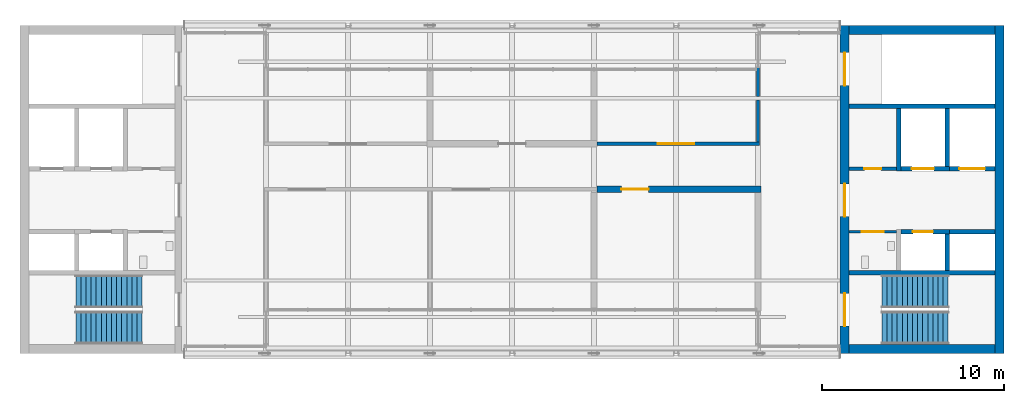
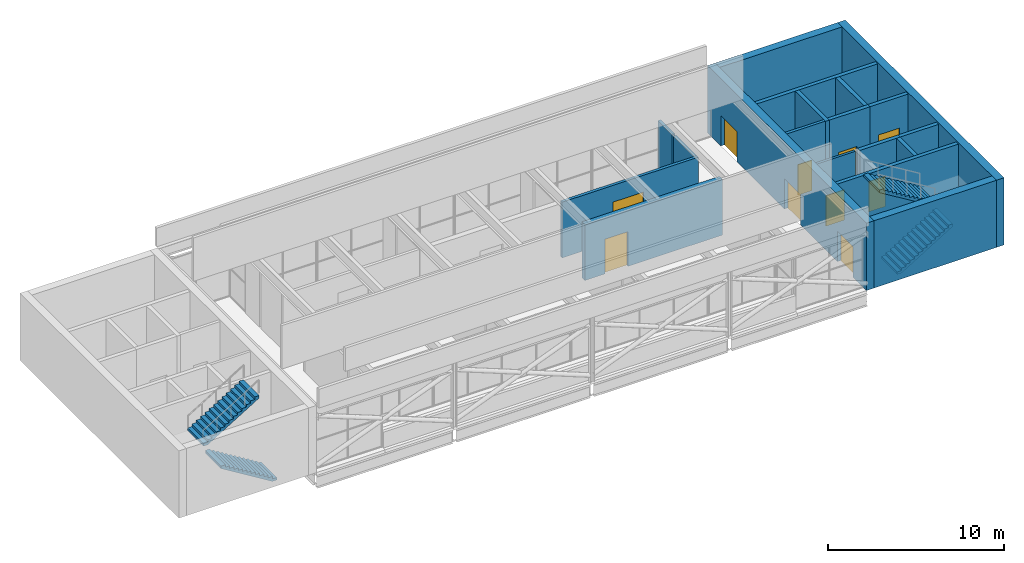
# One storey, part 11 of 13: 19 walls, 10 doors, 4 stair flights, 10 openings, 2 elements without a shape of their own.
"""IFC4 building model written with IfcOpenShell, lengths in metres."""

from ifc_helpers import new_model, si_unit, direction, frame, frame_2d, origin, place, context, subcontext, project, spatial, polyline, rectangle, outline, extrude, material, layer, layer_set, type_object, element, fill, aggregate, save


model = new_model("IFC4")

# Units and contexts
model_context = context("Model", 3, precision=1e-05, world=origin(), true_north=direction((0.0, 1.0)))
body_context = subcontext(model_context, "Body", "Model", "MODEL_VIEW")
ifc_project = project(units=[si_unit("LENGTHUNIT", "METRE"), si_unit("AREAUNIT", "SQUARE_METRE"), si_unit("VOLUMEUNIT", "CUBIC_METRE"), si_unit("PLANEANGLEUNIT", "RADIAN"), si_unit("MASSUNIT", "GRAM", prefix="KILO")], contexts=[model_context])

# Site, building, storey
site_placement = place(None, origin())
site = spatial("IfcSite", under=ifc_project, at=site_placement, CompositionType="ELEMENT")
building_placement = place(site_placement, origin())
building = spatial("IfcBuilding", under=site, at=building_placement, Name="Corbel Yard City Hall", CompositionType="ELEMENT")
storey_placement = place(building_placement, frame((0.0, 0.0, 71.199951171875)))
storey = spatial("IfcBuildingStorey", under=building, at=storey_placement, Name="L17", CompositionType="ELEMENT", Elevation=71.199951171875)

# Walls
ifc_material_1 = material(Name="Concrete N40 (40 MPa)", Category="concrete")
ifc_layer_1 = layer(ifc_material_1, 0.25)
ifc_layer_set_1 = layer_set([ifc_layer_1], Name="Concrete N40 (40 MPa)")
wall_type_1 = type_object("IfcWallType", Name="IW2", PredefinedType="SOLIDWALL", material=ifc_layer_set_1)
for number, where, z_axis, x_axis, name in (
    (1, (45.5, 103.425048828125, 0.0), (0.0, 0.0, 1.0), (1.0, 0.0, 0.0), "Stair enclosure wall"),
    (2, (45.5, 112.574951171875, 0.0), (0.0, 0.0, 1.0), (1.0, 0.0, 0.0), "Stair enclosure wall"),
):
    element("IfcWall", number, at=place(storey_placement, frame(where, z_axis=z_axis, x_axis=x_axis)), inside=storey, type_object=wall_type_1, Name=name, PredefinedType="SOLIDWALL", context=body_context, shape_type="SweptSolid", body=[
        extrude(rectangle(XDim=8.0, YDim=0.25, at=frame_2d((4.0, 0.0))), origin(), (0.0, 0.0, 1.0), 4.550048828125),
    ])
wall_1_placement = place(storey_placement, frame((50.875, 103.550048828125, 0.0), z_axis=(0.0, 0.0, 1.0), x_axis=(0.0, 1.0, 0.0)))
element("IfcWall", 3, at=wall_1_placement, inside=storey, type_object=wall_type_1, Name="Lift LP25 shaft wall", PredefinedType="SOLIDWALL", context=body_context, shape_type="SweptSolid", body=[
    extrude(rectangle(XDim=2.0, YDim=0.25, at=frame_2d((1.0, 0.0))), origin(), (0.0, 0.0, 1.0), 4.550048828125),
])

# Wall, opening, door
wall_2_placement = place(storey_placement, frame((48.35009765625, 105.675048828125, 0.0), z_axis=(0.0, 0.0, 1.0), x_axis=(1.0, 0.0, 0.0)))
wall_2 = element("IfcWall", 4, at=wall_2_placement, inside=storey, type_object=wall_type_1, Name="Lift LP25 shaft wall", PredefinedType="SOLIDWALL", context=body_context, shape_type="SweptSolid", body=[
    extrude(rectangle(XDim=2.64990234375, YDim=0.25, at=frame_2d((1.324951171875, 0.0))), origin(), (0.0, 0.0, 1.0), 4.550048828125),
])
opening_1_placement = place(wall_2_placement, frame((0.64990234375, 0.0, 0.0)))
opening_1 = element("IfcOpeningElement", 5, at=opening_1_placement, cuts=wall_2, Name="Opening L17-004", PredefinedType="OPENING", context=body_context, shape_type="SweptSolid", body=[
    extrude(rectangle(XDim=1.10009765625, YDim=2.10009765625, at=frame_2d((0.550048828125, 1.050048828125))), frame((0.0, 0.135009765625, 0.0), z_axis=(0.0, -1.0, 0.0), x_axis=(1.0, 0.0, 0.0)), (0.0, 0.0, 1.0), 0.27001953125),
])
ifc_material_2 = material(Name="Stainless steel Grade 316", Category="steel")
door_type_1 = type_object("IfcDoorType", Name="LD1", OperationType="DOUBLE_DOOR_SLIDING", PredefinedType="DOOR", material=ifc_material_2)
door_1_placement = place(opening_1_placement, origin())
door_1 = element("IfcDoor", 6, at=door_1_placement, inside=storey, type_object=door_type_1, Name="Lift LP25 landing door", OperationType="DOUBLE_DOOR_SLIDING", OverallHeight=2.10009765625, OverallWidth=1.10009765625, PredefinedType="DOOR", context=body_context, shape_type="SweptSolid", body=[
    extrude(rectangle(XDim=1.10009765625, YDim=2.10009765625, at=frame_2d((0.550048828125, 1.050048828125))), frame((0.0, 0.02490234375, 0.0), z_axis=(0.0, -1.0, 0.0), x_axis=(1.0, 0.0, 0.0)), (0.0, 0.0, 1.0), 0.050048828125),
])
fill(opening_1, door_1)

# Walls
wall_3_placement = place(storey_placement, frame((51.0, 105.675048828125, 0.0), z_axis=(0.0, 0.0, 1.0), x_axis=(1.0, 0.0, 0.0)))
element("IfcWall", 7, at=wall_3_placement, inside=storey, type_object=wall_type_1, Name="Lift LP26 shaft wall", PredefinedType="SOLIDWALL", context=body_context, shape_type="SweptSolid", body=[
    extrude(rectangle(XDim=2.5, YDim=0.25, at=frame_2d((1.25, 0.0))), origin(), (0.0, 0.0, 1.0), 4.550048828125),
])
wall_4_placement = place(storey_placement, frame((48.22509765625, 109.0, 0.0), z_axis=(0.0, 0.0, 1.0), x_axis=(0.0, 1.0, 0.0)))
element("IfcWall", 8, at=wall_4_placement, inside=storey, type_object=wall_type_1, Name="Lift LF2 shaft wall", PredefinedType="SOLIDWALL", context=body_context, shape_type="SweptSolid", body=[
    extrude(rectangle(XDim=3.449951171875, YDim=0.25, at=frame_2d((1.72509765625, 0.0))), origin(), (0.0, 0.0, 1.0), 4.550048828125),
])
wall_5_placement = place(storey_placement, frame((50.875, 109.25, 0.0), z_axis=(0.0, 0.0, 1.0), x_axis=(0.0, 1.0, 0.0)))
element("IfcWall", 9, at=wall_5_placement, inside=storey, type_object=wall_type_1, Name="Lift LF2 shaft wall", PredefinedType="SOLIDWALL", context=body_context, shape_type="SweptSolid", body=[
    extrude(rectangle(XDim=3.199951171875, YDim=0.25, at=frame_2d((1.60009765625, 0.0))), origin(), (0.0, 0.0, 1.0), 4.550048828125),
])

# Wall, opening, door
wall_6_placement = place(storey_placement, frame((48.35009765625, 109.125, 0.0), z_axis=(0.0, 0.0, 1.0), x_axis=(1.0, 0.0, 0.0)))
wall_6 = element("IfcWall", 10, at=wall_6_placement, inside=storey, type_object=wall_type_1, Name="Lift LF2 shaft wall", PredefinedType="SOLIDWALL", context=body_context, shape_type="SweptSolid", body=[
    extrude(rectangle(XDim=2.64990234375, YDim=0.25, at=frame_2d((1.324951171875, 0.0))), origin(), (0.0, 0.0, 1.0), 4.550048828125),
])
opening_2_placement = place(wall_6_placement, frame((0.60009765625, 0.0, 0.0)))
opening_2 = element("IfcOpeningElement", 11, at=opening_2_placement, cuts=wall_6, Name="Opening L17-005", PredefinedType="OPENING", context=body_context, shape_type="SweptSolid", body=[
    extrude(rectangle(XDim=1.199951171875, YDim=2.10009765625, at=frame_2d((0.60009765625, 1.050048828125))), frame((0.0, 0.135009765625, 0.0), z_axis=(0.0, -1.0, 0.0), x_axis=(1.0, 0.0, 0.0)), (0.0, 0.0, 1.0), 0.27001953125),
])
door_type_2 = type_object("IfcDoorType", Name="LD2", OperationType="DOUBLE_DOOR_SLIDING", PredefinedType="DOOR", material=ifc_material_2)
door_2_placement = place(opening_2_placement, origin())
door_2 = element("IfcDoor", 12, at=door_2_placement, inside=storey, type_object=door_type_2, Name="Lift LF2 landing door", OperationType="DOUBLE_DOOR_SLIDING", OverallHeight=2.10009765625, OverallWidth=1.199951171875, PredefinedType="DOOR", context=body_context, shape_type="SweptSolid", body=[
    extrude(rectangle(XDim=1.199951171875, YDim=2.10009765625, at=frame_2d((0.60009765625, 1.050048828125))), frame((0.0, 0.02490234375, 0.0), z_axis=(0.0, -1.0, 0.0), x_axis=(1.0, 0.0, 0.0)), (0.0, 0.0, 1.0), 0.050048828125),
])
fill(opening_2, door_2)

wall_7_placement = place(storey_placement, frame((51.0, 109.125, 0.0), z_axis=(0.0, 0.0, 1.0), x_axis=(1.0, 0.0, 0.0)))
wall_7 = element("IfcWall", 13, at=wall_7_placement, inside=storey, type_object=wall_type_1, Name="Lift LG1 shaft wall", PredefinedType="SOLIDWALL", context=body_context, shape_type="SweptSolid", body=[
    extrude(rectangle(XDim=2.5, YDim=0.25, at=frame_2d((1.25, 0.0))), origin(), (0.0, 0.0, 1.0), 4.550048828125),
])
opening_3_placement = place(wall_7_placement, frame((0.550048828125, 0.0, 0.0)))
opening_3 = element("IfcOpeningElement", 14, at=opening_3_placement, cuts=wall_7, Name="Opening L17-006", PredefinedType="OPENING", context=body_context, shape_type="SweptSolid", body=[
    extrude(rectangle(XDim=1.39990234375, YDim=2.39990234375, at=frame_2d((0.699951171875, 1.199951171875))), frame((0.0, 0.135009765625, 0.0), z_axis=(0.0, -1.0, 0.0), x_axis=(1.0, 0.0, 0.0)), (0.0, 0.0, 1.0), 0.27001953125),
])
door_type_3 = type_object("IfcDoorType", Name="LD3", OperationType="DOUBLE_DOOR_SLIDING", PredefinedType="DOOR", material=ifc_material_2)
door_3_placement = place(opening_3_placement, origin())
door_3 = element("IfcDoor", 15, at=door_3_placement, inside=storey, type_object=door_type_3, Name="Lift LG1 landing door", OperationType="DOUBLE_DOOR_SLIDING", OverallHeight=2.39990234375, OverallWidth=1.39990234375, PredefinedType="DOOR", context=body_context, shape_type="SweptSolid", body=[
    extrude(rectangle(XDim=1.39990234375, YDim=2.39990234375, at=frame_2d((0.699951171875, 1.199951171875))), frame((0.0, 0.02490234375, 0.0), z_axis=(0.0, -1.0, 0.0), x_axis=(1.0, 0.0, 0.0)), (0.0, 0.0, 1.0), 0.050048828125),
])
fill(opening_3, door_3)

ifc_material_3 = material(Name="Gypsum plasterboard", Category="gypsum")
ifc_layer_2 = layer(ifc_material_3, 0.031982421875)
ifc_material_4 = material(Name="Steel Grade G550 (550 MPa yield)", Category="steel")
ifc_layer_3 = layer(ifc_material_4, 0.095947265625)
ifc_layer_4 = layer(ifc_material_3, 0.031982421875)
ifc_layer_set_2 = layer_set([ifc_layer_2, ifc_layer_3, ifc_layer_4], Name="Steel Grade G550 (550 MPa yield)")
wall_type_2 = type_object("IfcWallType", Name="PT3", PredefinedType="PARTITIONING", material=ifc_layer_set_2)
wall_8_placement = place(storey_placement, frame((45.5, 105.675048828125, 0.0), z_axis=(0.0, 0.0, 1.0), x_axis=(1.0, 0.0, 0.0)))
wall_8 = element("IfcWall", 16, at=wall_8_placement, inside=storey, type_object=wall_type_2, Name="Accessible WC wall", PredefinedType="PARTITIONING", context=body_context, shape_type="SweptSolid", body=[
    extrude(rectangle(XDim=2.60009765625, YDim=0.159912109375, at=frame_2d((1.300048828125, 0.0))), origin(), (0.0, 0.0, 1.0), 4.550048828125),
])
opening_4_placement = place(wall_8_placement, frame((0.699951171875, 0.0, 0.0)))
opening_4 = element("IfcOpeningElement", 17, at=opening_4_placement, cuts=wall_8, Name="Opening L17-021", PredefinedType="OPENING", context=body_context, shape_type="SweptSolid", body=[
    extrude(rectangle(XDim=1.199951171875, YDim=2.10009765625, at=frame_2d((0.60009765625, 1.050048828125))), frame((0.0, 0.08984375, 0.0), z_axis=(0.0, -1.0, 0.0), x_axis=(1.0, 0.0, 0.0)), (0.0, 0.0, 1.0), 0.179931640625),
])
ifc_material_5 = material(Name="Steel Grade G250", Category="steel")
door_type_4 = type_object("IfcDoorType", Name="FD7", OperationType="SINGLE_SWING_LEFT", PredefinedType="DOOR", material=ifc_material_5)
door_4_placement = place(opening_4_placement, frame((1.199951171875, 0.0, 0.0), z_axis=(0.0, 0.0, 1.0), x_axis=(-1.0, 0.0, 0.0)))
door_4 = element("IfcDoor", 18, at=door_4_placement, inside=storey, type_object=door_type_4, Name="Door accessible WC East", OperationType="SINGLE_SWING_RIGHT", OverallHeight=2.10009765625, OverallWidth=1.199951171875, PredefinedType="DOOR", context=body_context, shape_type="SweptSolid", body=[
    extrude(rectangle(XDim=1.199951171875, YDim=2.10009765625, at=frame_2d((0.60009765625, 1.050048828125))), frame((0.0, 0.02490234375, 0.0), z_axis=(0.0, -1.0, 0.0), x_axis=(1.0, 0.0, 0.0)), (0.0, 0.0, 1.0), 0.050048828125),
])
fill(opening_4, door_4)

ifc_material_6 = material(Name="Concrete block", Category="concrete")
ifc_layer_5 = layer(ifc_material_6, 0.18994140625)
ifc_layer_set_3 = layer_set([ifc_layer_5], Name="Concrete block")
wall_type_3 = type_object("IfcWallType", Name="PT4", PredefinedType="PARTITIONING", material=ifc_layer_set_3)
wall_9_placement = place(storey_placement, frame((45.5, 109.125, 0.0), z_axis=(0.0, 0.0, 1.0), x_axis=(1.0, 0.0, 0.0)))
wall_9 = element("IfcWall", 19, at=wall_9_placement, inside=storey, type_object=wall_type_3, Name="Riser wall", PredefinedType="PARTITIONING", context=body_context, shape_type="SweptSolid", body=[
    extrude(rectangle(XDim=2.60009765625, YDim=0.18994140625, at=frame_2d((1.300048828125, 0.0))), origin(), (0.0, 0.0, 1.0), 4.550048828125),
])
opening_5_placement = place(wall_9_placement, frame((0.840087890625, 0.0, 0.0)))
opening_5 = element("IfcOpeningElement", 20, at=opening_5_placement, cuts=wall_9, Name="Opening L17-022", PredefinedType="OPENING", context=body_context, shape_type="SweptSolid", body=[
    extrude(rectangle(XDim=0.919921875, YDim=2.10009765625, at=frame_2d((0.4599609375, 1.050048828125))), frame((0.0, 0.10498046875, 0.0), z_axis=(0.0, -1.0, 0.0), x_axis=(1.0, 0.0, 0.0)), (0.0, 0.0, 1.0), 0.2099609375),
])
door_type_5 = type_object("IfcDoorType", Name="FS4", OperationType="SINGLE_SWING_LEFT", PredefinedType="DOOR", material=ifc_material_5)
door_5_placement = place(opening_5_placement, origin())
door_5 = element("IfcDoor", 21, at=door_5_placement, inside=storey, type_object=door_type_5, Name="Door riser East", OperationType="SINGLE_SWING_LEFT", OverallHeight=2.10009765625, OverallWidth=0.919921875, PredefinedType="DOOR", context=body_context, shape_type="SweptSolid", body=[
    extrude(rectangle(XDim=0.919921875, YDim=2.10009765625, at=frame_2d((0.4599609375, 1.050048828125))), frame((0.0, 0.02490234375, 0.0), z_axis=(0.0, -1.0, 0.0), x_axis=(1.0, 0.0, 0.0)), (0.0, 0.0, 1.0), 0.050048828125),
])
fill(opening_5, door_5)

wall_10_placement = place(storey_placement, frame((31.675048828125, 110.5, 0.0), z_axis=(0.0, 0.0, 1.0), x_axis=(1.0, 0.0, 0.0)))
wall_10 = element("IfcWall", 22, at=wall_10_placement, inside=storey, type_object=wall_type_3, Name="Fire-resisting block wall", PredefinedType="PARTITIONING", context=body_context, shape_type="SweptSolid", body=[
    extrude(rectangle(XDim=8.919921875, YDim=0.18994140625, at=frame_2d((4.4599609375, 0.0))), origin(), (0.0, 0.0, 1.0), 3.858154296875),
])
opening_6_placement = place(wall_10_placement, frame((3.324951171875, 0.0, 0.0)))
opening_6 = element("IfcOpeningElement", 23, at=opening_6_placement, cuts=wall_10, Name="Opening L17-012", PredefinedType="OPENING", context=body_context, shape_type="SweptSolid", body=[
    extrude(rectangle(XDim=2.0, YDim=2.699951171875, at=frame_2d((1.0, 1.35009765625))), frame((0.0, 0.10498046875, 0.0), z_axis=(0.0, -1.0, 0.0), x_axis=(1.0, 0.0, 0.0)), (0.0, 0.0, 1.0), 0.2099609375),
])
door_type_6 = type_object("IfcDoorType", Name="FS45", OperationType="DOUBLE_DOOR_SINGLE_SWING", PredefinedType="DOOR", material=ifc_material_5)
door_6_placement = place(opening_6_placement, origin())
door_6 = element("IfcDoor", 24, at=door_6_placement, inside=storey, type_object=door_type_6, Name="Door Cooling Plant Room 1709", OperationType="DOUBLE_DOOR_SINGLE_SWING", OverallHeight=2.699951171875, OverallWidth=2.0, PredefinedType="DOOR", context=body_context, shape_type="SweptSolid", body=[
    extrude(rectangle(XDim=2.0, YDim=2.699951171875, at=frame_2d((1.0, 1.35009765625))), frame((0.0, 0.02490234375, 0.0), z_axis=(0.0, -1.0, 0.0), x_axis=(1.0, 0.0, 0.0)), (0.0, 0.0, 1.0), 0.050048828125),
])
fill(opening_6, door_6)

# Walls
wall_11_placement = place(storey_placement, frame((40.5, 110.594970703125, 0.0), z_axis=(0.0, 0.0, 1.0), x_axis=(0.0, 1.0, 0.0)))
element("IfcWall", 25, at=wall_11_placement, inside=storey, type_object=wall_type_3, Name="Fire-resisting block wall", PredefinedType="PARTITIONING", context=body_context, shape_type="SweptSolid", body=[
    extrude(rectangle(XDim=2.31494140625, YDim=0.18994140625, at=frame_2d((1.157470703125, 0.0))), origin(), (0.0, 0.0, 1.0), 3.858154296875),
])
wall_12_placement = place(storey_placement, frame((40.5, 113.090087890625, 0.0), z_axis=(0.0, 0.0, 1.0), x_axis=(0.0, 1.0, 0.0)))
element("IfcWall", 26, at=wall_12_placement, inside=storey, type_object=wall_type_3, Name="Fire-resisting block wall", PredefinedType="PARTITIONING", context=body_context, shape_type="SweptSolid", body=[
    extrude(rectangle(XDim=1.58984375, YDim=0.18994140625, at=frame_2d((0.794921875, 0.0))), origin(), (0.0, 0.0, 1.0), 3.858154296875),
])

# Wall, opening, door
ifc_layer_6 = layer(ifc_material_6, 0.35009765625)
ifc_layer_set_4 = layer_set([ifc_layer_6], Name="Concrete block")
wall_type_4 = type_object("IfcWallType", Name="PT44", PredefinedType="PARTITIONING", material=ifc_layer_set_4)
wall_13_placement = place(storey_placement, frame((31.675048828125, 108.0, 0.0), z_axis=(0.0, 0.0, 1.0), x_axis=(1.0, 0.0, 0.0)))
wall_13 = element("IfcWall", 27, at=wall_13_placement, inside=storey, type_object=wall_type_4, Name="Fire-resisting riser wall", PredefinedType="PARTITIONING", context=body_context, shape_type="SweptSolid", body=[
    extrude(rectangle(XDim=9.0, YDim=0.35009765625, at=frame_2d((4.5, 0.0))), origin(), (0.0, 0.0, 1.0), 3.858154296875),
])
opening_7_placement = place(wall_13_placement, frame((1.324951171875, 0.0, 0.0)))
opening_7 = element("IfcOpeningElement", 28, at=opening_7_placement, cuts=wall_13, Name="Opening L17-009", PredefinedType="OPENING", context=body_context, shape_type="SweptSolid", body=[
    extrude(rectangle(XDim=1.5, YDim=2.39990234375, at=frame_2d((0.75, 1.199951171875))), frame((0.0, 0.18505859375, 0.0), z_axis=(0.0, -1.0, 0.0), x_axis=(1.0, 0.0, 0.0)), (0.0, 0.0, 1.0), 0.3701171875),
])
door_type_7 = type_object("IfcDoorType", Name="FS46", OperationType="DOUBLE_DOOR_SINGLE_SWING", PredefinedType="DOOR", material=ifc_material_5)
door_7_placement = place(opening_7_placement, origin())
door_7 = element("IfcDoor", 29, at=door_7_placement, inside=storey, type_object=door_type_7, Name="Door Electrical Switch Room 1706", OperationType="DOUBLE_DOOR_SINGLE_SWING", OverallHeight=2.39990234375, OverallWidth=1.5, PredefinedType="DOOR", context=body_context, shape_type="SweptSolid", body=[
    extrude(rectangle(XDim=1.5, YDim=2.39990234375, at=frame_2d((0.75, 1.199951171875))), frame((0.0, 0.02490234375, 0.0), z_axis=(0.0, -1.0, 0.0), x_axis=(1.0, 0.0, 0.0)), (0.0, 0.0, 1.0), 0.050048828125),
])
fill(opening_7, door_7)

# Wall, openings, doors
ifc_material_7 = material(Name="Concrete N50 (50 MPa)", Category="concrete")
ifc_layer_7 = layer(ifc_material_7, 0.5)
ifc_layer_set_5 = layer_set([ifc_layer_7], Name="Concrete N50 (50 MPa)")
wall_type_5 = type_object("IfcWallType", Name="Trunk wall 500", PredefinedType="SHEAR", material=ifc_layer_set_5)
wall_14_placement = place(storey_placement, frame((45.25, 99.0, 0.0), z_axis=(0.0, 0.0, 1.0), x_axis=(0.0, 1.0, 0.0)))
wall_14 = element("IfcWall", 30, at=wall_14_placement, inside=storey, type_object=wall_type_5, Name="Trunk E west wall", PredefinedType="SHEAR", context=body_context, shape_type="SweptSolid", body=[
    extrude(rectangle(XDim=18.0, YDim=0.5, at=frame_2d((9.0, 0.0))), origin(), (0.0, 0.0, 1.0), 4.650146484375),
])
opening_8_placement = place(wall_14_placement, frame((1.5, 0.0, 0.0)))
opening_8 = element("IfcOpeningElement", 31, at=opening_8_placement, cuts=wall_14, Name="Opening L17-018", PredefinedType="OPENING", context=body_context, shape_type="SweptSolid", body=[
    extrude(rectangle(XDim=1.800048828125, YDim=2.10009765625, at=frame_2d((0.89990234375, 1.050048828125))), frame((0.0, 0.260009765625, 0.0), z_axis=(0.0, -1.0, 0.0), x_axis=(1.0, 0.0, 0.0)), (0.0, 0.0, 1.0), 0.52001953125),
])
opening_9_placement = place(wall_14_placement, frame((14.699951171875, 0.0, 0.0)))
opening_9 = element("IfcOpeningElement", 32, at=opening_9_placement, cuts=wall_14, Name="Opening L17-019", PredefinedType="OPENING", context=body_context, shape_type="SweptSolid", body=[
    extrude(rectangle(XDim=1.800048828125, YDim=2.10009765625, at=frame_2d((0.89990234375, 1.050048828125))), frame((0.0, 0.260009765625, 0.0), z_axis=(0.0, -1.0, 0.0), x_axis=(1.0, 0.0, 0.0)), (0.0, 0.0, 1.0), 0.52001953125),
])
opening_10_placement = place(wall_14_placement, frame((7.5, 0.0, 0.0)))
opening_10 = element("IfcOpeningElement", 33, at=opening_10_placement, cuts=wall_14, Name="Opening L17-020", PredefinedType="OPENING", context=body_context, shape_type="SweptSolid", body=[
    extrude(rectangle(XDim=1.800048828125, YDim=2.10009765625, at=frame_2d((0.89990234375, 1.050048828125))), frame((0.0, 0.260009765625, 0.0), z_axis=(0.0, -1.0, 0.0), x_axis=(1.0, 0.0, 0.0)), (0.0, 0.0, 1.0), 0.52001953125),
])
door_type_8 = type_object("IfcDoorType", Name="FS3", OperationType="DOUBLE_DOOR_SINGLE_SWING", PredefinedType="DOOR", material=ifc_material_5)
door_8_placement = place(opening_8_placement, origin())
door_8 = element("IfcDoor", 34, at=door_8_placement, inside=storey, type_object=door_type_8, Name="Door ST-E1", OperationType="DOUBLE_DOOR_SINGLE_SWING", OverallHeight=2.10009765625, OverallWidth=1.800048828125, PredefinedType="DOOR", context=body_context, shape_type="SweptSolid", body=[
    extrude(rectangle(XDim=1.800048828125, YDim=2.10009765625, at=frame_2d((0.89990234375, 1.050048828125))), frame((0.0, 0.02490234375, 0.0), z_axis=(0.0, -1.0, 0.0), x_axis=(1.0, 0.0, 0.0)), (0.0, 0.0, 1.0), 0.050048828125),
])
fill(opening_8, door_8)
door_9_placement = place(opening_9_placement, origin())
door_9 = element("IfcDoor", 35, at=door_9_placement, inside=storey, type_object=door_type_8, Name="Door ST-E2", OperationType="DOUBLE_DOOR_SINGLE_SWING", OverallHeight=2.10009765625, OverallWidth=1.800048828125, PredefinedType="DOOR", context=body_context, shape_type="SweptSolid", body=[
    extrude(rectangle(XDim=1.800048828125, YDim=2.10009765625, at=frame_2d((0.89990234375, 1.050048828125))), frame((0.0, 0.02490234375, 0.0), z_axis=(0.0, -1.0, 0.0), x_axis=(1.0, 0.0, 0.0)), (0.0, 0.0, 1.0), 0.050048828125),
])
fill(opening_9, door_9)
door_10_placement = place(opening_10_placement, origin())
door_10 = element("IfcDoor", 36, at=door_10_placement, inside=storey, type_object=door_type_8, Name="Door lift lobby East", OperationType="DOUBLE_DOOR_SINGLE_SWING", OverallHeight=2.10009765625, OverallWidth=1.800048828125, PredefinedType="DOOR", context=body_context, shape_type="SweptSolid", body=[
    extrude(rectangle(XDim=1.800048828125, YDim=2.10009765625, at=frame_2d((0.89990234375, 1.050048828125))), frame((0.0, 0.02490234375, 0.0), z_axis=(0.0, -1.0, 0.0), x_axis=(1.0, 0.0, 0.0)), (0.0, 0.0, 1.0), 0.050048828125),
])
fill(opening_10, door_10)

# Walls
wall_15_placement = place(storey_placement, frame((53.75, 99.0, 0.0), z_axis=(0.0, 0.0, 1.0), x_axis=(0.0, 1.0, 0.0)))
element("IfcWall", 37, at=wall_15_placement, inside=storey, type_object=wall_type_5, Name="Trunk E east wall", PredefinedType="SHEAR", context=body_context, shape_type="SweptSolid", body=[
    extrude(rectangle(XDim=18.0, YDim=0.5, at=frame_2d((9.0, 0.0))), origin(), (0.0, 0.0, 1.0), 4.650146484375),
])
for number, where, z_axis, x_axis, name in (
    (38, (45.5, 99.25, 0.0), (0.0, 0.0, 1.0), (1.0, 0.0, 0.0), "Trunk E south wall"),
    (39, (45.5, 116.75, 0.0), (0.0, 0.0, 1.0), (1.0, 0.0, 0.0), "Trunk E north wall"),
):
    element("IfcWall", number, at=place(storey_placement, frame(where, z_axis=z_axis, x_axis=x_axis)), inside=storey, type_object=wall_type_5, Name=name, PredefinedType="SHEAR", context=body_context, shape_type="SweptSolid", body=[
        extrude(rectangle(XDim=8.0, YDim=0.5, at=frame_2d((4.0, 0.0))), origin(), (0.0, 0.0, 1.0), 4.650146484375),
    ])

# Stair, stair flights
stair_type = type_object("IfcStairType", Name="ST5", PredefinedType="HALF_TURN_STAIR", material=ifc_material_1)
stair_1_placement = place(storey_placement, origin())
stair_1 = element("IfcStair", 40, at=stair_1_placement, inside=storey, type_object=stair_type, Name="Exit stair ST-W1 L17", PredefinedType="HALF_TURN_STAIR")
stair_flight_type = type_object("IfcStairFlightType", Name="FL5", PredefinedType="STRAIGHT", material=ifc_material_1)
stair_flight_1_placement = place(storey_placement, frame((6.699951171875, 100.39990234375, 0.0), z_axis=(0.0, 0.0, 1.0), x_axis=(-1.0, 0.0, 0.0)))
stair_flight_1 = element("IfcStairFlight", 41, at=stair_flight_1_placement, type_object=stair_flight_type, Name="ST-W1 flight 1", NumberOfRisers=14, NumberOfTreads=13, PredefinedType="STRAIGHT", RiserHeight=0.171429, TreadLength=0.28, context=body_context, shape_type="SweptSolid", body=[
    extrude(outline(polyline([(0.0, 0.0), (0.0, 0.17138671875), (0.280029296875, 0.17138671875), (0.280029296875, 0.3427734375), (0.56005859375, 0.3427734375), (0.56005859375, 0.514404296875), (0.840087890625, 0.514404296875), (0.840087890625, 0.685791015625), (1.1201171875, 0.685791015625), (1.1201171875, 0.857177734375), (1.39990234375, 0.857177734375), (1.39990234375, 1.028564453125), (1.679931640625, 1.028564453125), (1.679931640625, 1.199951171875), (1.9599609375, 1.199951171875), (1.9599609375, 1.371337890625), (2.239990234375, 1.371337890625), (2.239990234375, 1.54296875), (2.52001953125, 1.54296875), (2.52001953125, 1.71435546875), (2.800048828125, 1.71435546875), (2.800048828125, 1.8857421875), (3.080078125, 1.8857421875), (3.080078125, 2.05712890625), (3.360107421875, 2.05712890625), (3.360107421875, 2.228515625), (3.639892578125, 2.228515625), (3.639892578125, 2.39990234375), (3.639892578125, 2.052734375), (0.287109375, 0.0), (0.0, 0.0)])), frame((0.0, 0.89990234375, 0.0), z_axis=(0.0, -1.0, 0.0), x_axis=(1.0, 0.0, 0.0)), (0.0, 0.0, 1.0), 1.800048828125),
])
stair_flight_2_placement = place(storey_placement, frame((3.06005859375, 102.39990234375, 2.400146484375), z_axis=(0.0, 0.0, 1.0), x_axis=(1.0, 0.0, 0.0)))
stair_flight_2 = element("IfcStairFlight", 42, at=stair_flight_2_placement, type_object=stair_flight_type, Name="ST-W1 flight 2", NumberOfRisers=14, NumberOfTreads=13, PredefinedType="STRAIGHT", RiserHeight=0.171429, TreadLength=0.28, context=body_context, shape_type="SweptSolid", body=[
    extrude(outline(polyline([(0.0, 0.0), (0.0, 0.17138671875), (0.280029296875, 0.17138671875), (0.280029296875, 0.3427734375), (0.56005859375, 0.3427734375), (0.56005859375, 0.514404296875), (0.840087890625, 0.514404296875), (0.840087890625, 0.685791015625), (1.1201171875, 0.685791015625), (1.1201171875, 0.857177734375), (1.39990234375, 0.857177734375), (1.39990234375, 1.028564453125), (1.679931640625, 1.028564453125), (1.679931640625, 1.199951171875), (1.9599609375, 1.199951171875), (1.9599609375, 1.371337890625), (2.239990234375, 1.371337890625), (2.239990234375, 1.54296875), (2.52001953125, 1.54296875), (2.52001953125, 1.71435546875), (2.800048828125, 1.71435546875), (2.800048828125, 1.8857421875), (3.080078125, 1.8857421875), (3.080078125, 2.05712890625), (3.360107421875, 2.05712890625), (3.360107421875, 2.228515625), (3.639892578125, 2.228515625), (3.639892578125, 2.39990234375), (3.639892578125, 2.052734375), (0.287109375, 0.0), (0.0, 0.0)])), frame((0.0, 0.89990234375, 0.0), z_axis=(0.0, -1.0, 0.0), x_axis=(1.0, 0.0, 0.0)), (0.0, 0.0, 1.0), 1.800048828125),
])
aggregate(stair_1, [stair_flight_1, stair_flight_2])

stair_2_placement = place(storey_placement, origin())
stair_2 = element("IfcStair", 43, at=stair_2_placement, inside=storey, type_object=stair_type, Name="Exit stair ST-E1 L17", PredefinedType="HALF_TURN_STAIR")
stair_flight_3_placement = place(storey_placement, frame((47.300048828125, 100.39990234375, 0.0), z_axis=(0.0, 0.0, 1.0), x_axis=(1.0, 0.0, 0.0)))
stair_flight_3 = element("IfcStairFlight", 44, at=stair_flight_3_placement, type_object=stair_flight_type, Name="ST-E1 flight 1", NumberOfRisers=14, NumberOfTreads=13, PredefinedType="STRAIGHT", RiserHeight=0.171429, TreadLength=0.28, context=body_context, shape_type="SweptSolid", body=[
    extrude(outline(polyline([(0.0, 0.0), (0.0, 0.17138671875), (0.280029296875, 0.17138671875), (0.280029296875, 0.3427734375), (0.56005859375, 0.3427734375), (0.56005859375, 0.514404296875), (0.840087890625, 0.514404296875), (0.840087890625, 0.685791015625), (1.1201171875, 0.685791015625), (1.1201171875, 0.857177734375), (1.39990234375, 0.857177734375), (1.39990234375, 1.028564453125), (1.679931640625, 1.028564453125), (1.679931640625, 1.199951171875), (1.9599609375, 1.199951171875), (1.9599609375, 1.371337890625), (2.239990234375, 1.371337890625), (2.239990234375, 1.54296875), (2.52001953125, 1.54296875), (2.52001953125, 1.71435546875), (2.800048828125, 1.71435546875), (2.800048828125, 1.8857421875), (3.080078125, 1.8857421875), (3.080078125, 2.05712890625), (3.360107421875, 2.05712890625), (3.360107421875, 2.228515625), (3.639892578125, 2.228515625), (3.639892578125, 2.39990234375), (3.639892578125, 2.052734375), (0.287109375, 0.0), (0.0, 0.0)])), frame((0.0, 0.89990234375, 0.0), z_axis=(0.0, -1.0, 0.0), x_axis=(1.0, 0.0, 0.0)), (0.0, 0.0, 1.0), 1.800048828125),
])
stair_flight_4_placement = place(storey_placement, frame((50.93994140625, 102.39990234375, 2.400146484375), z_axis=(0.0, 0.0, 1.0), x_axis=(-1.0, 0.0, 0.0)))
stair_flight_4 = element("IfcStairFlight", 45, at=stair_flight_4_placement, type_object=stair_flight_type, Name="ST-E1 flight 2", NumberOfRisers=14, NumberOfTreads=13, PredefinedType="STRAIGHT", RiserHeight=0.171429, TreadLength=0.28, context=body_context, shape_type="SweptSolid", body=[
    extrude(outline(polyline([(0.0, 0.0), (0.0, 0.17138671875), (0.280029296875, 0.17138671875), (0.280029296875, 0.3427734375), (0.56005859375, 0.3427734375), (0.56005859375, 0.514404296875), (0.840087890625, 0.514404296875), (0.840087890625, 0.685791015625), (1.1201171875, 0.685791015625), (1.1201171875, 0.857177734375), (1.39990234375, 0.857177734375), (1.39990234375, 1.028564453125), (1.679931640625, 1.028564453125), (1.679931640625, 1.199951171875), (1.9599609375, 1.199951171875), (1.9599609375, 1.371337890625), (2.239990234375, 1.371337890625), (2.239990234375, 1.54296875), (2.52001953125, 1.54296875), (2.52001953125, 1.71435546875), (2.800048828125, 1.71435546875), (2.800048828125, 1.8857421875), (3.080078125, 1.8857421875), (3.080078125, 2.05712890625), (3.360107421875, 2.05712890625), (3.360107421875, 2.228515625), (3.639892578125, 2.228515625), (3.639892578125, 2.39990234375), (3.639892578125, 2.052734375), (0.287109375, 0.0), (0.0, 0.0)])), frame((0.0, 0.89990234375, 0.0), z_axis=(0.0, -1.0, 0.0), x_axis=(1.0, 0.0, 0.0)), (0.0, 0.0, 1.0), 1.800048828125),
])
aggregate(stair_2, [stair_flight_3, stair_flight_4])

save(model, "model.ifc")
